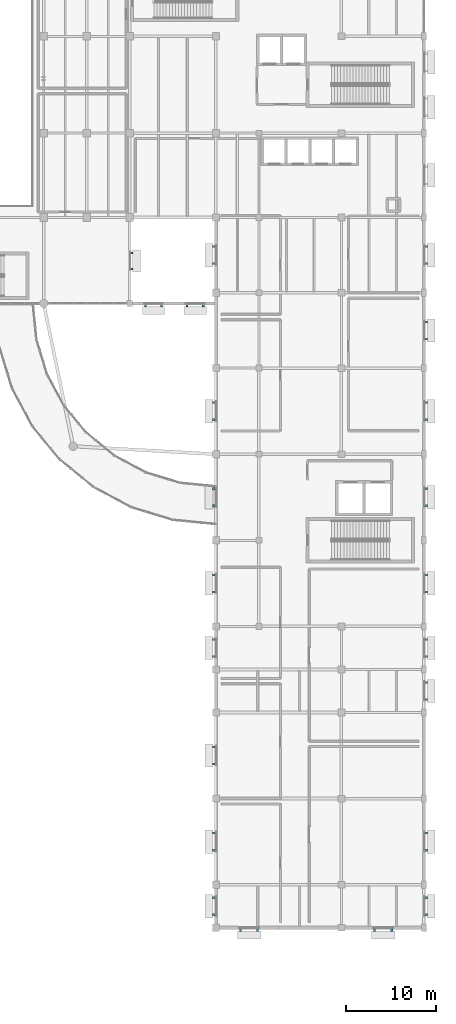
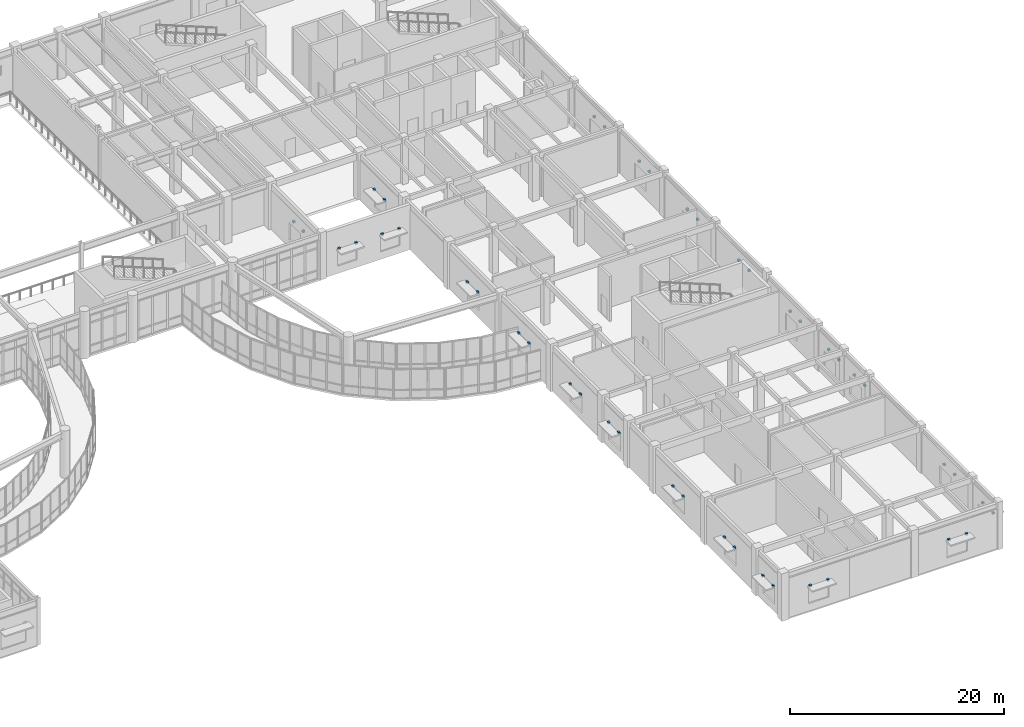
# One storey, part 60 of 72: 44 discrete accessories.
"""IFC4 building model written with IfcOpenShell, lengths in metres."""

from ifc_helpers import new_model, si_unit, direction, frame, origin, origin_2d, place, context, subcontext, project, spatial, rectangle, extrude, material, type_object, element, save


model = new_model("IFC4")

# Units and contexts
model_context = context("Model", 3, precision=1e-05, world=origin(), true_north=direction((0.0, 1.0)))
body_context = subcontext(model_context, "Body", "Model", "MODEL_VIEW")
ifc_project = project(units=[si_unit("LENGTHUNIT", "METRE"), si_unit("AREAUNIT", "SQUARE_METRE"), si_unit("VOLUMEUNIT", "CUBIC_METRE"), si_unit("PLANEANGLEUNIT", "RADIAN"), si_unit("MASSUNIT", "GRAM", prefix="KILO")], contexts=[model_context])

# Site, building, storey
site_placement = place(None, origin())
site = spatial("IfcSite", under=ifc_project, at=site_placement, CompositionType="ELEMENT")
building_placement = place(site_placement, origin())
building = spatial("IfcBuilding", under=site, at=building_placement, Name="Veldera Park Congress Hotel", CompositionType="ELEMENT")
storey_placement = place(building_placement, frame((0.0, 0.0, 5.39990234375)))
storey = spatial("IfcBuildingStorey", under=building, at=storey_placement, Name="L01", CompositionType="ELEMENT", Elevation=5.39990234375)

# Discrete accessories
ifc_material = material(Name="Steel ASTM A992 Gr.50", Category="steel")
discrete_accessory_type = type_object("IfcDiscreteAccessoryType", Name="ACC-BRK160", PredefinedType="BRACKET", material=ifc_material)
for number, where, z_axis, x_axis, name in (
    (1, (51.449951171875, 21.25, 2.77001953125), (0.0, 0.0, 1.0), (0.0, 1.0, 0.0), "Shading Steel Outrigger Bracket 49L"),
    (2, (51.449951171875, 23.050048828125, 2.77001953125), (0.0, 0.0, 1.0), (0.0, 1.0, 0.0), "Shading Steel Outrigger Bracket 49R"),
    (3, (63.55615234375, -52.469970703125, 2.8203125), (0.0, 0.0, 1.0), (1.0, 0.0, 0.0), "Shading Steel Outrigger Bracket 101L"),
    (4, (65.456298828125, -52.469970703125, 2.8203125), (0.0, 0.0, 1.0), (1.0, 0.0, 0.0), "Shading Steel Outrigger Bracket 101R"),
    (5, (78.5, -52.469970703125, 2.8203125), (0.0, 0.0, 1.0), (1.0, 0.0, 0.0), "Shading Steel Outrigger Bracket 102L"),
    (6, (80.39990234375, -52.469970703125, 2.8203125), (0.0, 0.0, 1.0), (1.0, 0.0, 0.0), "Shading Steel Outrigger Bracket 102R"),
    (7, (84.27001953125, -50.75, 2.8203125), (0.0, 0.0, 1.0), (0.0, 1.0, 0.0), "Shading Steel Outrigger Bracket 103L"),
    (8, (84.27001953125, -48.85009765625, 2.8203125), (0.0, 0.0, 1.0), (0.0, 1.0, 0.0), "Shading Steel Outrigger Bracket 103R"),
    (9, (84.27001953125, -43.550048828125, 2.8203125), (0.0, 0.0, 1.0), (0.0, 1.0, 0.0), "Shading Steel Outrigger Bracket 104L"),
    (10, (84.27001953125, -41.64990234375, 2.8203125), (0.0, 0.0, 1.0), (0.0, 1.0, 0.0), "Shading Steel Outrigger Bracket 104R"),
    (11, (84.27001953125, -26.75, 2.8203125), (0.0, 0.0, 1.0), (0.0, 1.0, 0.0), "Shading Steel Outrigger Bracket 105L"),
    (12, (84.27001953125, -24.85009765625, 2.8203125), (0.0, 0.0, 1.0), (0.0, 1.0, 0.0), "Shading Steel Outrigger Bracket 105R"),
    (13, (84.27001953125, -21.949951171875, 2.8203125), (0.0, 0.0, 1.0), (0.0, 1.0, 0.0), "Shading Steel Outrigger Bracket 106L"),
    (14, (84.27001953125, -20.050048828125, 2.8203125), (0.0, 0.0, 1.0), (0.0, 1.0, 0.0), "Shading Steel Outrigger Bracket 106R"),
    (15, (84.27001953125, -14.75, 2.8203125), (0.0, 0.0, 1.0), (0.0, 1.0, 0.0), "Shading Steel Outrigger Bracket 107L"),
    (16, (84.27001953125, -12.85009765625, 2.8203125), (0.0, 0.0, 1.0), (0.0, 1.0, 0.0), "Shading Steel Outrigger Bracket 107R"),
    (17, (84.27001953125, -5.14990234375, 2.8203125), (0.0, 0.0, 1.0), (0.0, 1.0, 0.0), "Shading Steel Outrigger Bracket 108L"),
    (18, (84.27001953125, -3.25, 2.8203125), (0.0, 0.0, 1.0), (0.0, 1.0, 0.0), "Shading Steel Outrigger Bracket 108R"),
    (19, (84.27001953125, 4.449951171875, 2.8203125), (0.0, 0.0, 1.0), (0.0, 1.0, 0.0), "Shading Steel Outrigger Bracket 109L"),
    (20, (84.27001953125, 6.35009765625, 2.8203125), (0.0, 0.0, 1.0), (0.0, 1.0, 0.0), "Shading Steel Outrigger Bracket 109R"),
    (21, (84.27001953125, 13.449951171875, 2.8203125), (0.0, 0.0, 1.0), (0.0, 1.0, 0.0), "Shading Steel Outrigger Bracket 110L"),
    (22, (84.27001953125, 15.35009765625, 2.8203125), (0.0, 0.0, 1.0), (0.0, 1.0, 0.0), "Shading Steel Outrigger Bracket 110R"),
    (23, (84.27001953125, 21.85009765625, 2.8203125), (0.0, 0.0, 1.0), (0.0, 1.0, 0.0), "Shading Steel Outrigger Bracket 111L"),
    (24, (84.27001953125, 23.75, 2.8203125), (0.0, 0.0, 1.0), (0.0, 1.0, 0.0), "Shading Steel Outrigger Bracket 111R"),
    (25, (52.942138671875, 17.1298828125, 2.77001953125), (0.0, 0.0, 1.0), (1.0, 0.0, 0.0), "Shading Steel Outrigger Bracket 115L"),
    (26, (54.7421875, 17.1298828125, 2.77001953125), (0.0, 0.0, 1.0), (1.0, 0.0, 0.0), "Shading Steel Outrigger Bracket 115R"),
    (27, (57.580810546875, 17.1298828125, 2.77001953125), (0.0, 0.0, 1.0), (1.0, 0.0, 0.0), "Shading Steel Outrigger Bracket 116L"),
    (28, (59.380615234375, 17.1298828125, 2.77001953125), (0.0, 0.0, 1.0), (1.0, 0.0, 0.0), "Shading Steel Outrigger Bracket 116R"),
    (29, (60.530029296875, 23.75, 2.8203125), (0.0, 0.0, 1.0), (0.0, -1.0, 0.0), "Shading Steel Outrigger Bracket 117L"),
    (30, (60.530029296875, 21.85009765625, 2.8203125), (0.0, 0.0, 1.0), (0.0, -1.0, 0.0), "Shading Steel Outrigger Bracket 117R"),
    (31, (60.530029296875, 6.35009765625, 2.8203125), (0.0, 0.0, 1.0), (0.0, -1.0, 0.0), "Shading Steel Outrigger Bracket 118L"),
    (32, (60.530029296875, 4.449951171875, 2.8203125), (0.0, 0.0, 1.0), (0.0, -1.0, 0.0), "Shading Steel Outrigger Bracket 118R"),
    (33, (60.530029296875, -3.25, 2.8203125), (0.0, 0.0, 1.0), (0.0, -1.0, 0.0), "Shading Steel Outrigger Bracket 119L"),
    (34, (60.530029296875, -5.14990234375, 2.8203125), (0.0, 0.0, 1.0), (0.0, -1.0, 0.0), "Shading Steel Outrigger Bracket 119R"),
    (35, (60.530029296875, -12.85009765625, 2.8203125), (0.0, 0.0, 1.0), (0.0, -1.0, 0.0), "Shading Steel Outrigger Bracket 120L"),
    (36, (60.530029296875, -14.75, 2.8203125), (0.0, 0.0, 1.0), (0.0, -1.0, 0.0), "Shading Steel Outrigger Bracket 120R"),
    (37, (60.530029296875, -20.050048828125, 2.8203125), (0.0, 0.0, 1.0), (0.0, -1.0, 0.0), "Shading Steel Outrigger Bracket 121L"),
    (38, (60.530029296875, -21.949951171875, 2.8203125), (0.0, 0.0, 1.0), (0.0, -1.0, 0.0), "Shading Steel Outrigger Bracket 121R"),
    (39, (60.530029296875, -32.050048828125, 2.8203125), (0.0, 0.0, 1.0), (0.0, -1.0, 0.0), "Shading Steel Outrigger Bracket 122L"),
    (40, (60.530029296875, -33.949951171875, 2.8203125), (0.0, 0.0, 1.0), (0.0, -1.0, 0.0), "Shading Steel Outrigger Bracket 122R"),
    (41, (60.530029296875, -41.64990234375, 2.8203125), (0.0, 0.0, 1.0), (0.0, -1.0, 0.0), "Shading Steel Outrigger Bracket 123L"),
    (42, (60.530029296875, -43.550048828125, 2.8203125), (0.0, 0.0, 1.0), (0.0, -1.0, 0.0), "Shading Steel Outrigger Bracket 123R"),
    (43, (60.530029296875, -48.85009765625, 2.8203125), (0.0, 0.0, 1.0), (0.0, -1.0, 0.0), "Shading Steel Outrigger Bracket 124L"),
    (44, (60.530029296875, -50.75, 2.8203125), (0.0, 0.0, 1.0), (0.0, -1.0, 0.0), "Shading Steel Outrigger Bracket 124R"),
):
    element("IfcDiscreteAccessory", number, at=place(storey_placement, frame(where, z_axis=z_axis, x_axis=x_axis)), inside=storey, type_object=discrete_accessory_type, Name=name, PredefinedType="BRACKET", context=body_context, shape_type="SweptSolid", body=[
        extrude(rectangle(XDim=0.239990234375, YDim=0.239990234375, at=origin_2d()), origin(), (0.0, 0.0, 1.0), 0.219970703125),
    ])

save(model, "model.ifc")
